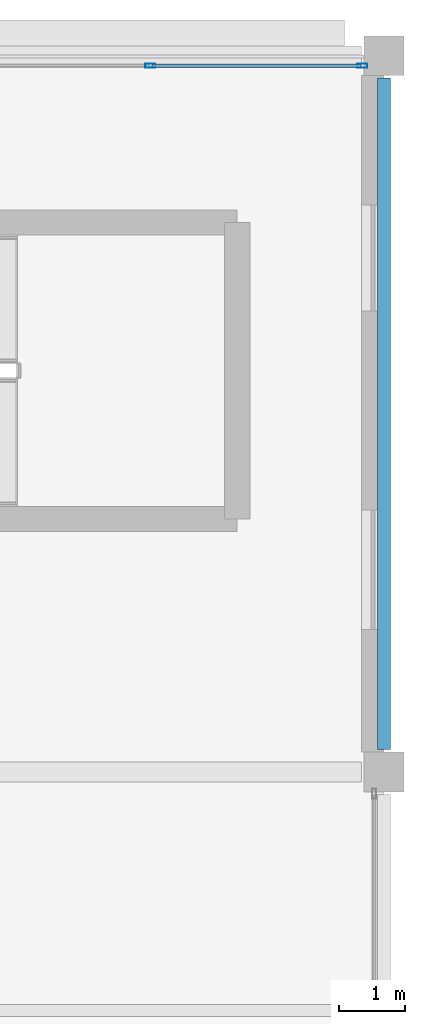
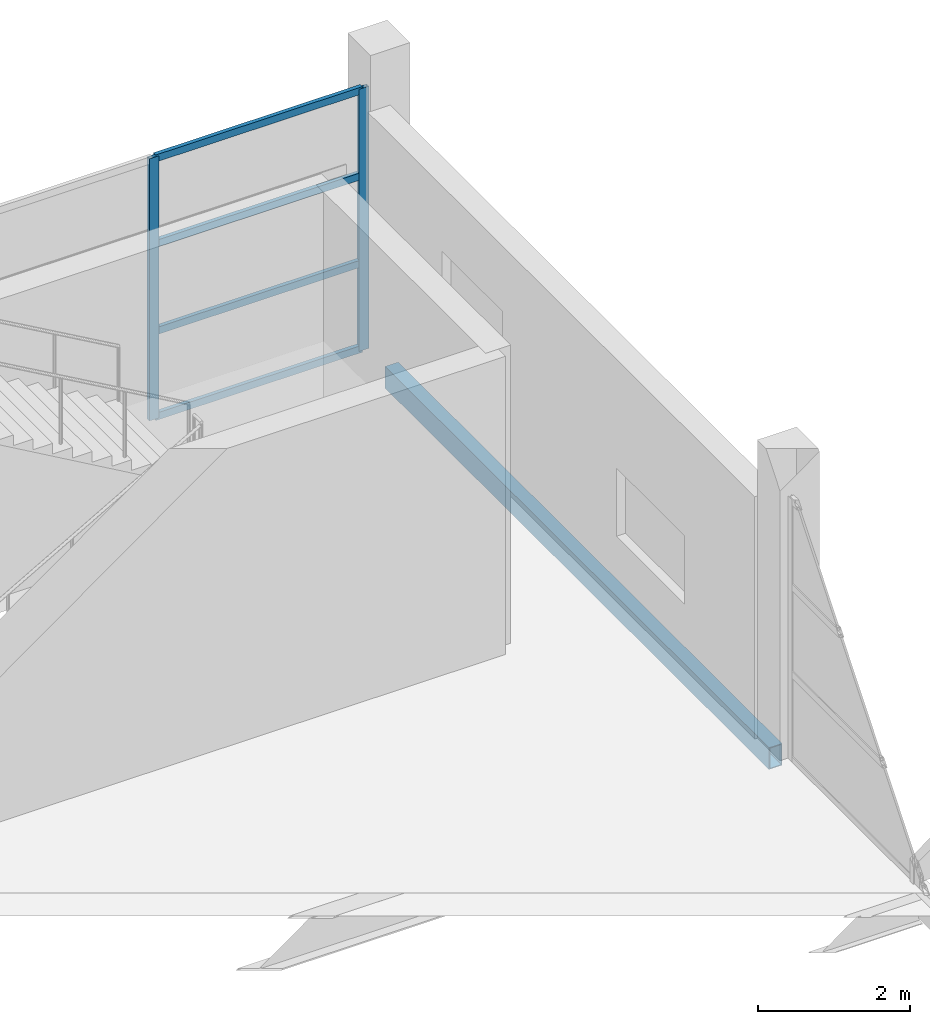
# One storey, part 111 of 134: 6 members, 1 beam, 1 element without a shape of its own.
"""IFC4 building model written with IfcOpenShell, lengths in metres."""

import ifcopenshell
import ifcopenshell.guid

model = None  # the IFC model being written
_history = None  # IfcOwnerHistory: only IFC2X3 demands one
_inside = {}  # id of a spatial element -> (the spatial element, [elements in it])
_under = {}  # id of a project, library or spatial element -> (it, [spatial elements below it])
_declared = {}  # id of a project -> (the project, [libraries it declares])
_typed = {}  # id of a type object -> (the type object, [elements of that type])
_made_of = {}  # id of a material, layer set ... -> (it, [elements and type objects made of it])


def new_model(schema):
    """Start an empty IFC model of exactly this schema.

    Asked for "IFC4X3", IfcOpenShell would pick the latest addendum, in which some entities
    have other attributes; the version numbers below select the first issue.
    IFC2X3 requires an IfcOwnerHistory on every rooted entity: one is made here for all.
    """
    global model, _history
    if schema == "IFC4X3":
        model = ifcopenshell.file(schema_version=(4, 3, 0, 0))
    else:
        model = ifcopenshell.file(schema=schema)
    _inside.clear()
    _under.clear()
    _declared.clear()
    _typed.clear()
    _made_of.clear()
    _history = None
    if model.schema == "IFC2X3":
        org = make("IfcOrganization", Name="unknown")
        user = make(
            "IfcPersonAndOrganization",
            ThePerson=make("IfcPerson", FamilyName="unknown"),
            TheOrganization=org,
        )
        app = make(
            "IfcApplication",
            ApplicationDeveloper=org,
            Version="unknown",
            ApplicationFullName="unknown",
            ApplicationIdentifier="unknown",
        )
        _history = make(
            "IfcOwnerHistory",
            OwningUser=user,
            OwningApplication=app,
            ChangeAction="ADDED",
            CreationDate=0,
        )
    return model


def make(cls, **values):
    """One entity of the class cls with the attributes given. An attribute that is None is left unset."""
    return model.create_entity(
        cls, **{name: value for name, value in values.items() if value is not None}
    )


def rooted(cls, **values):
    """An entity with a GlobalId (a new one), such as an element, a storey or a relation."""
    return make(cls, GlobalId=ifcopenshell.guid.new(), OwnerHistory=_history, **values)


def si_unit(unit_type, name, prefix=None):
    """IfcSIUnit, for example si_unit("LENGTHUNIT", "METRE", prefix="MILLI")."""
    return make("IfcSIUnit", UnitType=unit_type, Prefix=prefix, Name=name)


def assignment(units):
    """IfcUnitAssignment: the units of a project."""
    return None if units is None else make("IfcUnitAssignment", Units=units)


def point(xyz):
    """IfcCartesianPoint."""
    return None if xyz is None else make("IfcCartesianPoint", Coordinates=xyz)


def direction(xyz):
    """IfcDirection."""
    return None if xyz is None else make("IfcDirection", DirectionRatios=xyz)


def frame(location, z_axis=None, x_axis=None):
    """IfcAxis2Placement3D, a coordinate frame: its origin and axes. An axis left out is left unset."""
    return make(
        "IfcAxis2Placement3D",
        Location=point(location),
        Axis=direction(z_axis),
        RefDirection=direction(x_axis),
    )


def frame_2d(location, x_axis=None):
    """IfcAxis2Placement2D, a coordinate frame in the plane: its origin and x axis."""
    return make(
        "IfcAxis2Placement2D", Location=point(location), RefDirection=direction(x_axis)
    )


def origin():
    """The frame at (0, 0, 0) with its axes left unset."""
    return frame((0.0, 0.0, 0.0))


def origin_2d():
    """The frame at (0, 0) in the plane with its x axis left unset."""
    return frame_2d((0.0, 0.0))


def place(relative_to, where):
    """IfcLocalPlacement: puts the frame where relative to a parent placement (None: the world)."""
    return make(
        "IfcLocalPlacement", PlacementRelTo=relative_to, RelativePlacement=where
    )


def context(
    kind, dimensions, precision=None, world=None, true_north=None, identifier=None
):
    """IfcGeometricRepresentationContext, for example the 3D "Model" context."""
    return make(
        "IfcGeometricRepresentationContext",
        ContextIdentifier=identifier,
        ContextType=kind,
        CoordinateSpaceDimension=dimensions,
        Precision=precision,
        WorldCoordinateSystem=world,
        TrueNorth=true_north,
    )


def subcontext(parent, identifier, kind, view, scale=None):
    """IfcGeometricRepresentationSubContext, for example "Body" below "Model"."""
    return make(
        "IfcGeometricRepresentationSubContext",
        ContextIdentifier=identifier,
        ContextType=kind,
        ParentContext=parent,
        TargetScale=scale,
        TargetView=view,
    )


def project(units=None, contexts=None):
    """IfcProject with its units and contexts."""
    return rooted(
        "IfcProject",
        Name="project",
        RepresentationContexts=contexts,
        UnitsInContext=assignment(units),
    )


def spatial(cls, under=None, at=None, **own):
    """A site, building, storey or space (cls), placed at a placement, below another one or the project."""
    s = rooted(cls, ObjectPlacement=at, **own)
    if under is not None:
        _under.setdefault(under.id(), (under, []))[1].append(s)
    return s


def profile(cls, at=None, kind="AREA", **sizes):
    """A parametric profile (cls). Its sizes go by their IFC names, for example OverallWidth=200.0."""
    return make(cls, ProfileType=kind, Position=at, **sizes)


def hollow_rectangle(**sizes):
    """IfcRectangleHollowProfileDef."""
    return profile("IfcRectangleHollowProfileDef", **sizes)


def extrude(swept, where, along, depth):
    """IfcExtrudedAreaSolid: the profile swept, set in the frame where, extruded along a direction by depth."""
    return make(
        "IfcExtrudedAreaSolid",
        SweptArea=swept,
        Position=where,
        ExtrudedDirection=direction(along),
        Depth=depth,
    )


def shape(context_of_items, identifier, shape_type, items):
    """IfcShapeRepresentation: the items that make up one representation, for example the "Body"."""
    return make(
        "IfcShapeRepresentation",
        ContextOfItems=context_of_items,
        RepresentationIdentifier=identifier,
        RepresentationType=shape_type,
        Items=items,
    )


def material(Name=None, Category=None):
    """IfcMaterial."""
    return make("IfcMaterial", Name=Name, Category=Category)


def layer(
    of_material, thickness, ventilated=None, Name=None, Category=None, Priority=None
):
    """IfcMaterialLayer: one layer of a wall or slab, of a material (None: an air gap)."""
    return make(
        "IfcMaterialLayer",
        Material=of_material,
        LayerThickness=thickness,
        IsVentilated=ventilated,
        Name=Name,
        Category=Category,
        Priority=Priority,
    )


def layer_set(layers, Name=None):
    """IfcMaterialLayerSet."""
    return make("IfcMaterialLayerSet", MaterialLayers=layers, LayerSetName=Name)


def material_profile(
    of_material, cross_section, Name=None, Category=None, Priority=None
):
    """IfcMaterialProfile: a cross section and its material."""
    return make(
        "IfcMaterialProfile",
        Name=Name,
        Material=of_material,
        Profile=cross_section,
        Priority=Priority,
        Category=Category,
    )


def profile_set(profiles, Name=None, composite=None):
    """IfcMaterialProfileSet."""
    return make(
        "IfcMaterialProfileSet",
        Name=Name,
        MaterialProfiles=profiles,
        CompositeProfile=composite,
    )


def made_of(thing, what):
    """Note that an element or type object is made of a material, layer set ...; save() writes the relation."""
    if what is not None:
        _made_of.setdefault(what.id(), (what, []))[1].append(thing)
    return thing


def type_object(cls, material=None, **own):
    """A type object (cls), such as IfcWallType, which elements share."""
    return made_of(rooted(cls, **own), material)


def element(
    cls,
    number,
    at=None,
    inside=None,
    cuts=None,
    type_object=None,
    material=None,
    context=None,
    identifier="Body",
    shape_type=None,
    held_by="IfcProductDefinitionShape",
    body=None,
    shapes=None,
    **own,
):
    """One element of the class cls, such as IfcWall. Its Tag is "e" and its number.

    at: its placement. inside: the storey or other place that contains it. cuts: it is an
    opening in that element (IfcRelVoidsElement). A single representation is given by context,
    identifier, shape_type and body (its items); several are given by shapes. held_by: the class
    of the entity that holds the representations. save() writes the other relations.
    """
    e = rooted(cls, Tag="e%d" % number, ObjectPlacement=at, **own)
    if body is not None:
        shapes = [shape(context, identifier, shape_type, body)]
    if shapes is not None:
        e.Representation = make(held_by, Representations=shapes)
    if inside is not None:
        _inside.setdefault(inside.id(), (inside, []))[1].append(e)
    if cuts is not None:
        rooted(
            "IfcRelVoidsElement", RelatingBuildingElement=cuts, RelatedOpeningElement=e
        )
    if type_object is not None:
        _typed.setdefault(type_object.id(), (type_object, []))[1].append(e)
    return made_of(e, material)


def aggregate(whole, parts):
    """IfcRelAggregates: a whole, such as a stair, and the parts it consists of."""
    return rooted("IfcRelAggregates", RelatingObject=whole, RelatedObjects=parts)


def save(model, path):
    """Write the relations noted so far, then the file.

    IfcRelAggregates (storeys below a building ...), IfcRelContainedInSpatialStructure (elements
    in a storey), IfcRelDefinesByType, IfcRelAssociatesMaterial and IfcRelDeclares: one each for
    every whole, place, type object, material and project.
    """
    for whole, parts in _under.values():
        aggregate(whole, parts)
    for where, things in _inside.values():
        rooted(
            "IfcRelContainedInSpatialStructure",
            RelatedElements=things,
            RelatingStructure=where,
        )
    for kind, things in _typed.values():
        rooted("IfcRelDefinesByType", RelatedObjects=things, RelatingType=kind)
    for what, things in _made_of.values():
        rooted("IfcRelAssociatesMaterial", RelatedObjects=things, RelatingMaterial=what)
    for by, libraries in _declared.values():
        rooted("IfcRelDeclares", RelatingContext=by, RelatedDefinitions=libraries)
    model.write(path)


model = new_model("IFC4")

# Units and contexts
model_context = context("Model", 3, precision=1e-05, world=origin(), true_north=direction((0.0, 1.0)))
body_context = subcontext(model_context, "Body", "Model", "MODEL_VIEW")
ifc_project = project(units=[si_unit("LENGTHUNIT", "METRE"), si_unit("AREAUNIT", "SQUARE_METRE"), si_unit("VOLUMEUNIT", "CUBIC_METRE"), si_unit("PLANEANGLEUNIT", "RADIAN"), si_unit("MASSUNIT", "GRAM", prefix="KILO")], contexts=[model_context])

# Site, building, storey
site_placement = place(None, origin())
site = spatial("IfcSite", under=ifc_project, at=site_placement, CompositionType="ELEMENT")
building_placement = place(site_placement, origin())
building = spatial("IfcBuilding", under=site, at=building_placement, Name="Tamarisk Ironworks Central Station", CompositionType="ELEMENT")
storey_placement = place(building_placement, frame((0.0, 0.0, 12.60009765625)))
storey = spatial("IfcBuildingStorey", under=building, at=storey_placement, Name="L02", CompositionType="ELEMENT", Elevation=12.60009765625)

# Beam
ifc_material_1 = material(Name="Structural steel S355J2", Category="steel")
ifc_material_profile_1 = material_profile(ifc_material_1, hollow_rectangle(XDim=0.199951171875, YDim=0.35009765625, WallThickness=0.012451171875, at=origin_2d()), Name="RHS 350x200x12.5")
ifc_profile_set_1 = profile_set([ifc_material_profile_1], Name="Structural steel S355J2")
beam_type = type_object("IfcBeamType", Name="BM-SP01", PredefinedType="SPANDREL", material=ifc_profile_set_1)
beam_placement = place(storey_placement, frame((180.0, 111.93798828125, -0.425048828125), z_axis=(0.0, 1.0, 0.0), x_axis=(-1.0, 0.0, 0.0)))
element("IfcBeam", 1, at=beam_placement, inside=storey, type_object=beam_type, Name="L02 primary girder Y-0539", PredefinedType="SPANDREL", context=body_context, shape_type="SweptSolid", body=[
    extrude(hollow_rectangle(XDim=0.199951171875, YDim=0.35009765625, WallThickness=0.012451171875, at=origin_2d()), origin(), (0.0, 0.0, 1.0), 10.1240234375),
])

# Curtain wall, members
ifc_material_2 = material(Name="Anodized aluminium alloy 6063-T6", Category="aluminium")
ifc_layer = layer(ifc_material_2, 0.179931640625)
ifc_layer_set = layer_set([ifc_layer], Name="Anodized aluminium alloy 6063-T6")
curtain_wall_type = type_object("IfcCurtainWallType", Name="CW-17", PredefinedType="USERDEFINED", material=ifc_layer_set)
curtain_wall_placement = place(storey_placement, origin())
curtain_wall = element("IfcCurtainWall", 2, at=curtain_wall_placement, inside=storey, type_object=curtain_wall_type, Name="Operations L02 north facade curtain wall 166", ObjectType="GLAZED CURTAIN WALL", PredefinedType="USERDEFINED")
ifc_material_profile_2 = material_profile(ifc_material_2, hollow_rectangle(XDim=0.06005859375, YDim=0.14990234375, WallThickness=0.00341796875, at=origin_2d()), Name="ALUM 150x60")
ifc_profile_set_2 = profile_set([ifc_material_profile_2], Name="Anodized aluminium alloy 6063-T6")
member_type_1 = type_object("IfcMemberType", Name="CWM-03", PredefinedType="MULLION", material=ifc_profile_set_2)
member_1_placement = place(storey_placement, frame((176.47607421875, 122.25, 0.0), z_axis=(0.0, 0.0, 1.0), x_axis=(0.0, 1.0, 0.0)))
member_1 = element("IfcMember", 3, at=member_1_placement, type_object=member_type_1, Name="CW17 mullion 4", PredefinedType="MULLION", context=body_context, shape_type="SweptSolid", body=[
    extrude(hollow_rectangle(XDim=0.06005859375, YDim=0.14990234375, WallThickness=0.00341796875, at=origin_2d()), origin(), (0.0, 0.0, 1.0), 4.219970703125),
])
member_2_placement = place(storey_placement, frame((179.672119140625, 122.25, 0.0), z_axis=(0.0, 0.0, 1.0), x_axis=(0.0, 1.0, 0.0)))
member_2 = element("IfcMember", 4, at=member_2_placement, type_object=member_type_1, Name="CW17 mullion 5", PredefinedType="MULLION", context=body_context, shape_type="SweptSolid", body=[
    extrude(hollow_rectangle(XDim=0.06005859375, YDim=0.14990234375, WallThickness=0.00341796875, at=origin_2d()), origin(), (0.0, 0.0, 1.0), 4.219970703125),
])
ifc_material_profile_3 = material_profile(ifc_material_2, hollow_rectangle(XDim=0.06005859375, YDim=0.114990234375, WallThickness=0.00341796875, at=origin_2d()), Name="ALUM 115x60")
ifc_profile_set_3 = profile_set([ifc_material_profile_3], Name="Anodized aluminium alloy 6063-T6")
member_type_2 = type_object("IfcMemberType", Name="CWT-03", PredefinedType="USERDEFINED", material=ifc_profile_set_3)
member_3_placement = place(storey_placement, frame((176.501953125, 122.25, 0.02978515625), z_axis=(1.0, 0.0, 0.0), x_axis=(0.0, 1.0, 0.0)))
member_3 = element("IfcMember", 5, at=member_3_placement, type_object=member_type_2, Name="CW17 transom 4.1", ObjectType="TRANSOM", PredefinedType="USERDEFINED", context=body_context, shape_type="SweptSolid", body=[
    extrude(hollow_rectangle(XDim=0.06005859375, YDim=0.114990234375, WallThickness=0.00341796875, at=origin_2d()), origin(), (0.0, 0.0, 1.0), 3.14404296875),
])
member_4_placement = place(storey_placement, frame((176.501953125, 122.25, 1.406494140625), z_axis=(1.0, 0.0, 0.0), x_axis=(0.0, 1.0, 0.0)))
member_4 = element("IfcMember", 6, at=member_4_placement, type_object=member_type_2, Name="CW17 transom 4.2", ObjectType="TRANSOM", PredefinedType="USERDEFINED", context=body_context, shape_type="SweptSolid", body=[
    extrude(hollow_rectangle(XDim=0.06005859375, YDim=0.114990234375, WallThickness=0.00341796875, at=origin_2d()), origin(), (0.0, 0.0, 1.0), 3.14404296875),
])
member_5_placement = place(storey_placement, frame((176.501953125, 122.25, 2.813232421875), z_axis=(1.0, 0.0, 0.0), x_axis=(0.0, 1.0, 0.0)))
member_5 = element("IfcMember", 7, at=member_5_placement, type_object=member_type_2, Name="CW17 transom 4.3", ObjectType="TRANSOM", PredefinedType="USERDEFINED", context=body_context, shape_type="SweptSolid", body=[
    extrude(hollow_rectangle(XDim=0.06005859375, YDim=0.114990234375, WallThickness=0.00341796875, at=origin_2d()), origin(), (0.0, 0.0, 1.0), 3.14404296875),
])
member_6_placement = place(storey_placement, frame((176.501953125, 122.25, 4.18994140625), z_axis=(1.0, 0.0, 0.0), x_axis=(0.0, 1.0, 0.0)))
member_6 = element("IfcMember", 8, at=member_6_placement, type_object=member_type_2, Name="CW17 transom 4.4", ObjectType="TRANSOM", PredefinedType="USERDEFINED", context=body_context, shape_type="SweptSolid", body=[
    extrude(hollow_rectangle(XDim=0.06005859375, YDim=0.114990234375, WallThickness=0.00341796875, at=origin_2d()), origin(), (0.0, 0.0, 1.0), 3.14404296875),
])
aggregate(curtain_wall, [member_1, member_2, member_3, member_4, member_5, member_6])

save(model, "model.ifc")
